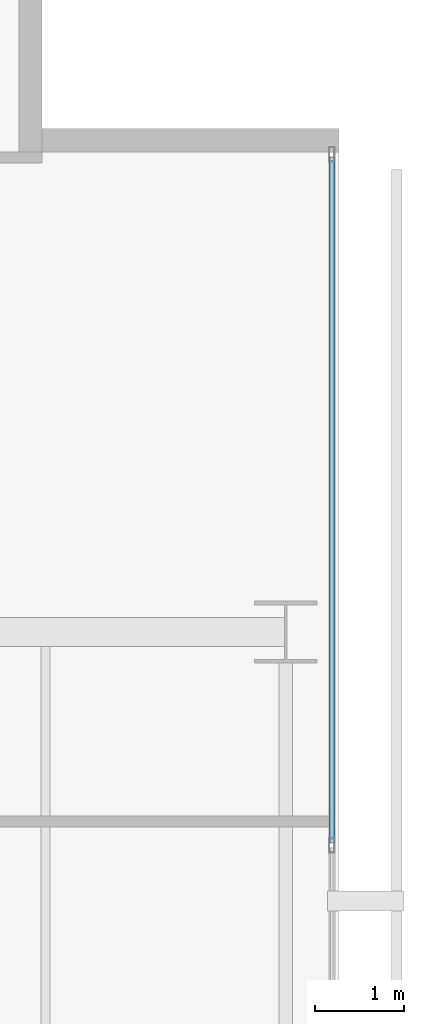
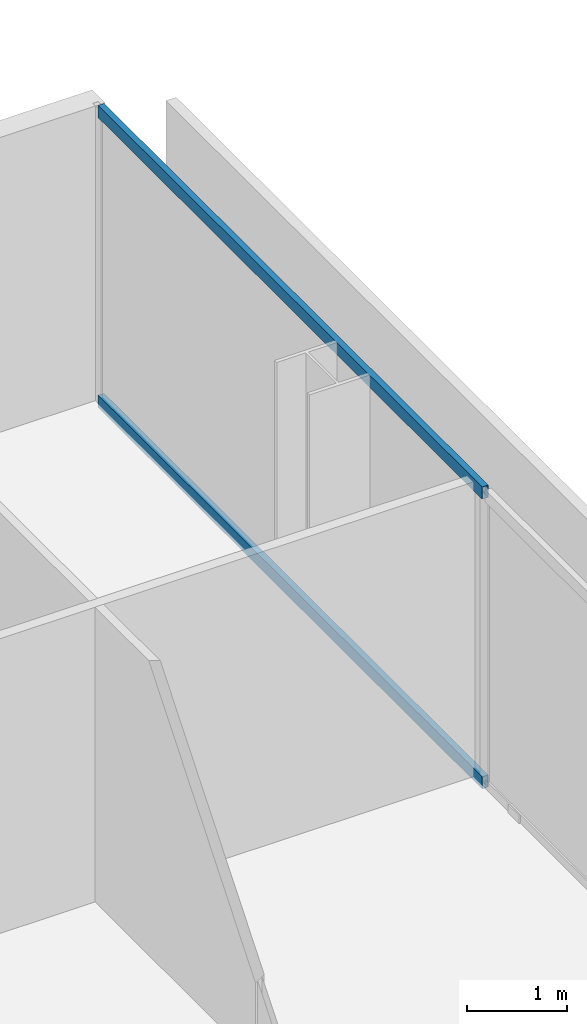
# One storey, part 29 of 40: 2 members, 1 element without a shape of its own.
"""IFC4 building model written with IfcOpenShell, lengths in metres."""

from ifc_helpers import new_model, si_unit, direction, frame, origin, origin_2d, place, context, subcontext, project, spatial, hollow_rectangle, extrude, material, layer, layer_set, material_profile, profile_set, type_object, element, aggregate, save


model = new_model("IFC4")

# Units and contexts
model_context = context("Model", 3, precision=1e-05, world=origin(), true_north=direction((0.0, 1.0)))
body_context = subcontext(model_context, "Body", "Model", "MODEL_VIEW")
ifc_project = project(units=[si_unit("LENGTHUNIT", "METRE"), si_unit("AREAUNIT", "SQUARE_METRE"), si_unit("VOLUMEUNIT", "CUBIC_METRE"), si_unit("PLANEANGLEUNIT", "RADIAN"), si_unit("MASSUNIT", "GRAM", prefix="KILO")], contexts=[model_context])

# Site, building, storey
site_placement = place(None, origin())
site = spatial("IfcSite", under=ifc_project, at=site_placement, CompositionType="ELEMENT")
building_placement = place(site_placement, origin())
building = spatial("IfcBuilding", under=site, at=building_placement, Name="Maruvema Waterfront Hotel and Observation Tower", CompositionType="ELEMENT")
storey_placement = place(building_placement, frame((0.0, 0.0, 103.949951171875)))
storey = spatial("IfcBuildingStorey", under=building, at=storey_placement, Name="L25", CompositionType="ELEMENT", Elevation=103.949951171875)

# Curtain wall, members
ifc_material_1 = material(Name="Anodised bronze aluminium and solar-control low-E IGU", Category="aluminium")
ifc_layer = layer(ifc_material_1, 0.159912109375, Name="Zone 1 Bronze Inner Thermal Curtain Wall System CW-02")
ifc_layer_set = layer_set([ifc_layer], Name="Anodised bronze aluminium and solar-control low-E IGU")
curtain_wall_type = type_object("IfcCurtainWallType", Name="Zone 1 Bronze Inner Thermal Curtain Wall System CW-02", PredefinedType="USERDEFINED", material=ifc_layer_set)
curtain_wall_placement = place(storey_placement, origin())
curtain_wall = element("IfcCurtainWall", 1, at=curtain_wall_placement, inside=storey, type_object=curtain_wall_type, Name="L25 Curtain Wall CW-L25-E", ObjectType="UNITISED CURTAIN WALL", PredefinedType="USERDEFINED")
ifc_material_2 = material(Name="Anodised architectural bronze aluminium", Category="aluminium")
ifc_material_profile = material_profile(ifc_material_2, hollow_rectangle(XDim=0.070068359375, YDim=0.14990234375, WallThickness=0.00390625, at=origin_2d()), Name="ALU-T70x150")
ifc_profile_set = profile_set([ifc_material_profile], Name="Anodised architectural bronze aluminium")
member_type = type_object("IfcMemberType", Name="Curtain Wall Horizontal Transom ALU-T70x150", PredefinedType="USERDEFINED", material=ifc_profile_set)
member_1_placement = place(storey_placement, frame((64.719970703125, 42.6298828125, 0.030029296875), z_axis=(0.0, 1.0, 0.0), x_axis=(-1.0, 0.0, 0.0)))
member_1 = element("IfcMember", 2, at=member_1_placement, type_object=member_type, Name="CW-02 transom 6.1", ObjectType="TRANSOM", PredefinedType="USERDEFINED", context=body_context, shape_type="SweptSolid", body=[
    extrude(hollow_rectangle(XDim=0.070068359375, YDim=0.14990234375, WallThickness=0.00390625, at=origin_2d()), origin(), (0.0, 0.0, 1.0), 7.710205078125),
])
member_2_placement = place(storey_placement, frame((64.719970703125, 42.6298828125, 3.580078125), z_axis=(0.0, 1.0, 0.0), x_axis=(-1.0, 0.0, 0.0)))
member_2 = element("IfcMember", 3, at=member_2_placement, type_object=member_type, Name="CW-02 transom 6.2", ObjectType="TRANSOM", PredefinedType="USERDEFINED", context=body_context, shape_type="SweptSolid", body=[
    extrude(hollow_rectangle(XDim=0.070068359375, YDim=0.14990234375, WallThickness=0.00390625, at=origin_2d()), origin(), (0.0, 0.0, 1.0), 7.710205078125),
])
aggregate(curtain_wall, [member_1, member_2])

save(model, "model.ifc")
